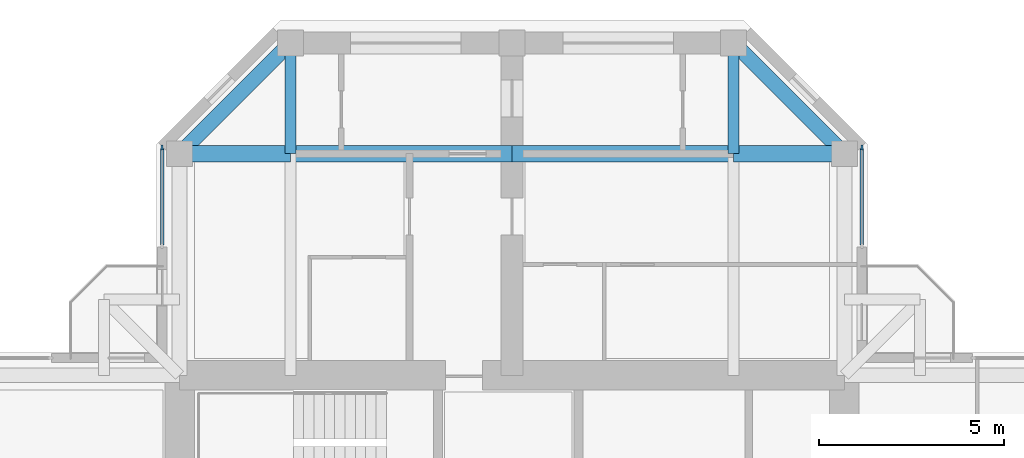
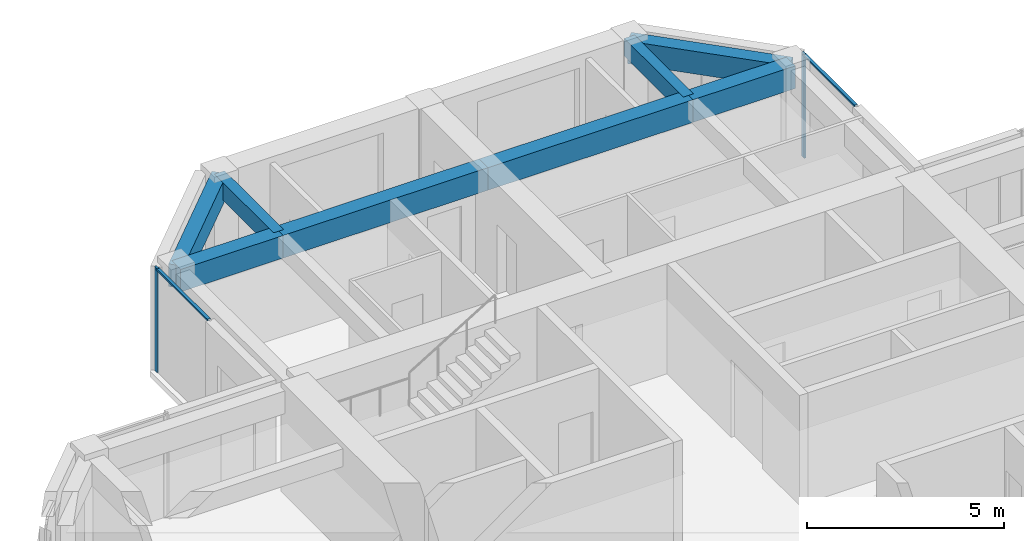
# One storey, part 6 of 13: 8 beams, 4 members, 2 elements without a shape of their own.
"""IFC4 building model written with IfcOpenShell, lengths in metres."""

from ifc_helpers import new_model, si_unit, direction, frame, origin, origin_2d, place, context, subcontext, project, spatial, rectangle, extrude, material, material_profile, profile_set, type_object, element, aggregate, save


model = new_model("IFC4")

# Units and contexts
model_context = context("Model", 3, precision=1e-05, world=origin(), true_north=direction((0.0, 1.0)))
body_context = subcontext(model_context, "Body", "Model", "MODEL_VIEW")
ifc_project = project(units=[si_unit("LENGTHUNIT", "METRE"), si_unit("AREAUNIT", "SQUARE_METRE"), si_unit("VOLUMEUNIT", "CUBIC_METRE"), si_unit("PLANEANGLEUNIT", "RADIAN"), si_unit("MASSUNIT", "GRAM", prefix="KILO")], contexts=[model_context])

# Site, building, storey
site_placement = place(None, origin())
site = spatial("IfcSite", under=ifc_project, at=site_placement, CompositionType="ELEMENT")
building_placement = place(site_placement, origin())
building = spatial("IfcBuilding", under=site, at=building_placement, Name="Torre Cruceta", CompositionType="ELEMENT")
storey_placement = place(building_placement, frame((0.0, 0.0, 278.10009765625)))
storey = spatial("IfcBuildingStorey", under=building, at=storey_placement, Name="L72", CompositionType="ELEMENT", Elevation=278.10009765625)

# Beams
ifc_material_1 = material(Name="Concrete G60 (fck 60 MPa)", Category="concrete")
ifc_material_profile_1 = material_profile(ifc_material_1, rectangle(XDim=0.300048828125, YDim=0.550048828125, at=origin_2d()), Name="RC 300X550")
ifc_profile_set_1 = profile_set([ifc_material_profile_1], Name="Concrete G60 (fck 60 MPa)")
beam_type_1 = type_object("IfcBeamType", Name="COLUMN LINE BEAM RC 300X550", PredefinedType="BEAM", material=ifc_profile_set_1)
for number, where, z_axis, x_axis, name in (
    (1, (6.0, 15.0, 2.94482421875), (0.0, 1.0, 0.0), (-1.0, 0.0, 0.0), "LB10 L72 N col- 2"),
    (2, (-6.0, 15.0, 2.94482421875), (0.0, 1.0, 0.0), (-1.0, 0.0, 0.0), "LB10 L72 N col+ 2"),
):
    element("IfcBeam", number, at=place(storey_placement, frame(where, z_axis=z_axis, x_axis=x_axis)), inside=storey, type_object=beam_type_1, Name=name, PredefinedType="BEAM", context=body_context, shape_type="SweptSolid", body=[
        extrude(rectangle(XDim=0.300048828125, YDim=0.550048828125, at=origin_2d()), origin(), (0.0, 0.0, 1.0), 3.0),
    ])
ifc_material_2 = material(Name="Concrete G60 (fck 60 MPa)", Category="concrete")
ifc_material_profile_2 = material_profile(ifc_material_2, rectangle(XDim=0.449951171875, YDim=0.699951171875, at=origin_2d()), Name="RC 450X700")
ifc_profile_set_2 = profile_set([ifc_material_profile_2], Name="Concrete G60 (fck 60 MPa)")
beam_type_2 = type_object("IfcBeamType", Name="CROSS BEAM RC 450X700", PredefinedType="BEAM", material=ifc_profile_set_2)
beam_1_placement = place(storey_placement, frame((9.0, 15.0, 2.869873046875), z_axis=(-1.0, 0.0, 0.0), x_axis=(0.0, -1.0, 0.0)))
element("IfcBeam", 3, at=beam_1_placement, inside=storey, type_object=beam_type_2, Name="GB8 L72 N cross15 1", PredefinedType="BEAM", context=body_context, shape_type="SweptSolid", body=[
    extrude(rectangle(XDim=0.449951171875, YDim=0.699951171875, at=origin_2d()), origin(), (0.0, 0.0, 1.0), 3.0),
])
for number, where, z_axis, x_axis, name in (
    (4, (6.0, 15.0, 2.869873046875), (-1.0, 0.0, 0.0), (0.0, -1.0, 0.0), "GB8 L72 N cross15 2"),
    (5, (0.0, 15.0, 2.869873046875), (-1.0, 0.0, 0.0), (0.0, -1.0, 0.0), "GB8 L72 N cross15 3"),
):
    element("IfcBeam", number, at=place(storey_placement, frame(where, z_axis=z_axis, x_axis=x_axis)), inside=storey, type_object=beam_type_2, Name=name, PredefinedType="BEAM", context=body_context, shape_type="SweptSolid", body=[
        extrude(rectangle(XDim=0.449951171875, YDim=0.699951171875, at=origin_2d()), origin(), (0.0, 0.0, 1.0), 6.0),
    ])
beam_2_placement = place(storey_placement, frame((-6.0, 15.0, 2.869873046875), z_axis=(-1.0, 0.0, 0.0), x_axis=(0.0, -1.0, 0.0)))
element("IfcBeam", 6, at=beam_2_placement, inside=storey, type_object=beam_type_2, Name="GB8 L72 N cross15 4", PredefinedType="BEAM", context=body_context, shape_type="SweptSolid", body=[
    extrude(rectangle(XDim=0.449951171875, YDim=0.699951171875, at=origin_2d()), origin(), (0.0, 0.0, 1.0), 3.0),
])

# Curtain wall, member
ifc_material_3 = material(Name="Aluminium unitised curtain wall", Category="aluminium")
curtain_wall_type = type_object("IfcCurtainWallType", Name="CURTAIN WALL CW-E CO-LIVING TOP", PredefinedType="USERDEFINED", material=ifc_material_3)
curtain_wall_1_placement = place(storey_placement, origin())
curtain_wall_1 = element("IfcCurtainWall", 7, at=curtain_wall_1_placement, inside=storey, type_object=curtain_wall_type, Name="CW-E L72 N side 05", ObjectType="UNITISED", PredefinedType="USERDEFINED")
ifc_material_4 = material(Name="Aluminium mullion", Category="aluminium")
ifc_material_profile_3 = material_profile(ifc_material_4, rectangle(XDim=0.054931640625, YDim=0.139892578125, at=origin_2d()), Name="AL 55X140")
ifc_profile_set_3 = profile_set([ifc_material_profile_3], Name="Aluminium mullion")
member_type_1 = type_object("IfcMemberType", Name="CW-E MULLION 55X140", PredefinedType="MULLION", material=ifc_profile_set_3)
member_1_placement = place(storey_placement, frame((9.469970703125, 15.167236328125, 0.0), z_axis=(0.0, 0.0, 1.0), x_axis=(-1.0, 0.0, 0.0)))
member_1 = element("IfcMember", 8, at=member_1_placement, type_object=member_type_1, Name="CW-E mullion 2", PredefinedType="MULLION", context=body_context, shape_type="SweptSolid", body=[
    extrude(rectangle(XDim=0.054931640625, YDim=0.139892578125, at=origin_2d()), origin(), (0.0, 0.0, 1.0), 3.219970703125),
])

curtain_wall_2_placement = place(storey_placement, origin())
curtain_wall_2 = element("IfcCurtainWall", 9, at=curtain_wall_2_placement, inside=storey, type_object=curtain_wall_type, Name="CW-E L72 N side 09", ObjectType="UNITISED", PredefinedType="USERDEFINED")
member_2_placement = place(storey_placement, frame((-9.469970703125, 15.167236328125, 0.0), z_axis=(0.0, 0.0, 1.0), x_axis=(1.0, 0.0, 0.0)))
member_2 = element("IfcMember", 10, at=member_2_placement, type_object=member_type_1, Name="CW-E mullion 1", PredefinedType="MULLION", context=body_context, shape_type="SweptSolid", body=[
    extrude(rectangle(XDim=0.054931640625, YDim=0.139892578125, at=origin_2d()), origin(), (0.0, 0.0, 1.0), 3.219970703125),
])

# Member
ifc_material_5 = material(Name="Aluminium transom", Category="aluminium")
ifc_material_profile_4 = material_profile(ifc_material_5, rectangle(XDim=0.090087890625, YDim=0.054931640625, at=origin_2d()), Name="AL 90X55")
ifc_profile_set_4 = profile_set([ifc_material_profile_4], Name="Aluminium transom")
member_type_2 = type_object("IfcMemberType", Name="CW-E TRANSOM 55X90", PredefinedType="USERDEFINED", material=ifc_profile_set_4)
member_3_placement = place(storey_placement, frame((9.469970703125, 12.52490234375, 3.1923828125), z_axis=(0.0, 1.0, 0.0), x_axis=(-1.0, 0.0, 0.0)))
member_3 = element("IfcMember", 11, at=member_3_placement, type_object=member_type_2, Name="CW-E transom 1", ObjectType="TRANSOM", PredefinedType="USERDEFINED", context=body_context, shape_type="SweptSolid", body=[
    extrude(rectangle(XDim=0.090087890625, YDim=0.054931640625, at=origin_2d()), origin(), (0.0, 0.0, 1.0), 2.61474609375),
])

aggregate(curtain_wall_1, [member_1, member_3])

member_4_placement = place(storey_placement, frame((-9.469970703125, 15.1396484375, 3.1923828125), z_axis=(0.0, -1.0, 0.0), x_axis=(1.0, 0.0, 0.0)))
member_4 = element("IfcMember", 12, at=member_4_placement, type_object=member_type_2, Name="CW-E transom 1", ObjectType="TRANSOM", PredefinedType="USERDEFINED", context=body_context, shape_type="SweptSolid", body=[
    extrude(rectangle(XDim=0.090087890625, YDim=0.054931640625, at=origin_2d()), origin(), (0.0, 0.0, 1.0), 2.61474609375),
])

aggregate(curtain_wall_2, [member_2, member_4])

# Beams
ifc_material_6 = material(Name="Concrete G60 (fck 60 MPa)", Category="concrete")
ifc_material_profile_5 = material_profile(ifc_material_6, rectangle(XDim=0.39990234375, YDim=0.699951171875, at=origin_2d()), Name="RC 400X700")
ifc_profile_set_5 = profile_set([ifc_material_profile_5], Name="Concrete G60 (fck 60 MPa)")
beam_type_3 = type_object("IfcBeamType", Name="SPANDREL BEAM RC 400X700", PredefinedType="SPANDREL", material=ifc_profile_set_5)
for number, where, z_axis, x_axis, name in (
    (13, (9.0, 15.0, 2.869873046875), (-0.707106781187, 0.707106781187, 0.0), (-0.707106781187, -0.707106781187, 0.0), "SB8 L72 N side- 2"),
    (14, (-9.0, 15.0, 2.869873046875), (0.707106781187, 0.707106781187, 0.0), (-0.707106781187, 0.707106781187, 0.0), "SB8 L72 N side+ 2"),
):
    element("IfcBeam", number, at=place(storey_placement, frame(where, z_axis=z_axis, x_axis=x_axis)), inside=storey, type_object=beam_type_3, Name=name, PredefinedType="SPANDREL", context=body_context, shape_type="SweptSolid", body=[
        extrude(rectangle(XDim=0.39990234375, YDim=0.699951171875, at=origin_2d()), origin(), (0.0, 0.0, 1.0), 4.24267578125),
    ])

save(model, "model.ifc")
